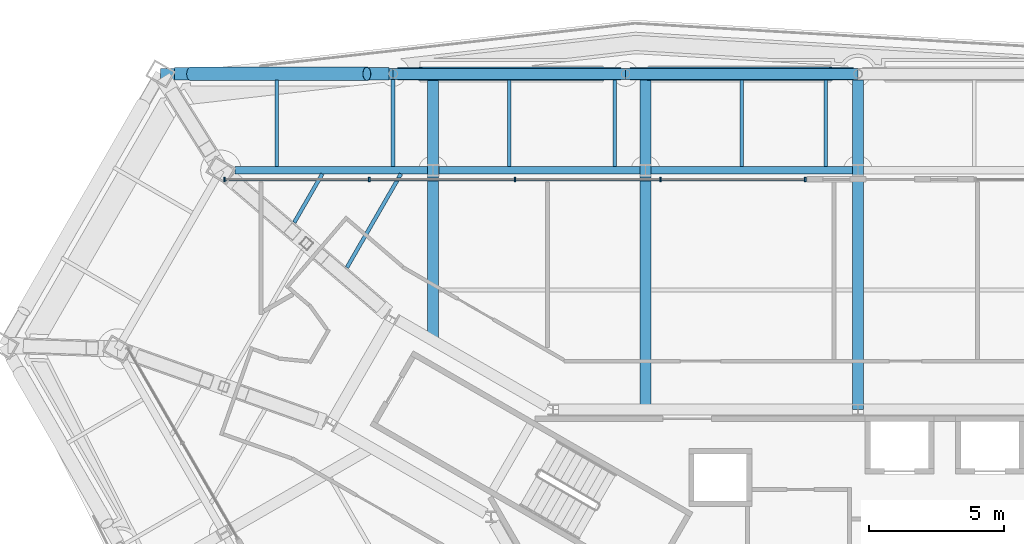
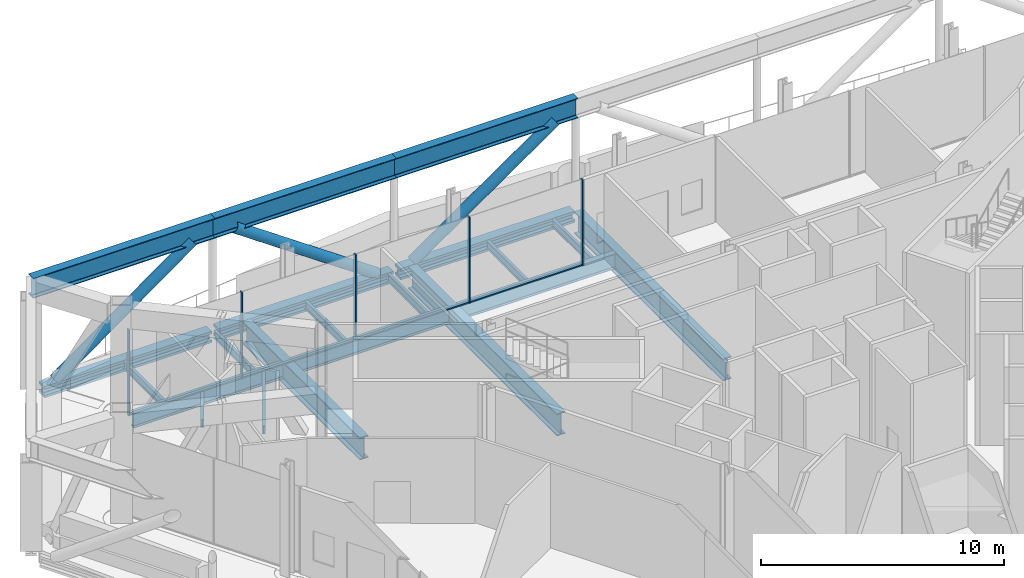
# One storey, part 12 of 26: 20 beams, 12 members, 1 element without a shape of its own.
"""IFC4 building model written with IfcOpenShell, lengths in metres."""

from ifc_helpers import new_model, si_unit, direction, frame, origin, origin_2d, place, context, subcontext, project, spatial, rectangle, hollow_circle, i_section, extrude, material, material_profile, profile_set, type_object, element, aggregate, save


model = new_model("IFC4")

# Units and contexts
model_context = context("Model", 3, precision=1e-05, world=origin(), true_north=direction((0.0, 1.0)))
body_context = subcontext(model_context, "Body", "Model", "MODEL_VIEW")
ifc_project = project(units=[si_unit("LENGTHUNIT", "METRE"), si_unit("AREAUNIT", "SQUARE_METRE"), si_unit("VOLUMEUNIT", "CUBIC_METRE"), si_unit("PLANEANGLEUNIT", "RADIAN"), si_unit("MASSUNIT", "GRAM", prefix="KILO")], contexts=[model_context])

# Site, building, storey
site_placement = place(None, origin())
site = spatial("IfcSite", under=ifc_project, at=site_placement, CompositionType="ELEMENT")
building_placement = place(site_placement, origin())
building = spatial("IfcBuilding", under=site, at=building_placement, Name="Verrane Prism Tower", CompositionType="ELEMENT")
storey_placement = place(building_placement, frame((0.0, 0.0, 87.199951171875)))
storey = spatial("IfcBuildingStorey", under=building, at=storey_placement, Name="L20", CompositionType="ELEMENT", Elevation=87.199951171875)

# Beams
ifc_material_1 = material(Name="Steel A992", Category="steel")
ifc_material_profile_1 = material_profile(ifc_material_1, i_section(OverallWidth=0.45458984375, OverallDepth=0.56884765625, WebThickness=0.077880859375, FlangeThickness=0.124755859375, FilletRadius=0.01513671875, at=origin_2d()), Name="W14x730")
ifc_profile_set_1 = profile_set([ifc_material_profile_1], Name="Steel A992")
beam_type_1 = type_object("IfcBeamType", Name="Belt truss chord W14x730", PredefinedType="BEAM", material=ifc_profile_set_1)
beam_1_placement = place(storey_placement, frame((-0.16259765625, 21.669921875, -0.445556640625), z_axis=(-1.0, 0.0, 0.0), x_axis=(0.0, -1.0, 0.0)))
element("IfcBeam", 1, at=beam_1_placement, inside=storey, type_object=beam_type_1, Name="Belt truss chord L20", PredefinedType="BEAM", context=body_context, shape_type="SweptSolid", body=[
    extrude(i_section(OverallWidth=0.45458984375, OverallDepth=0.56884765625, WebThickness=0.077880859375, FlangeThickness=0.124755859375, FilletRadius=0.01513671875, at=origin_2d()), origin(), (0.0, 0.0, 1.0), 8.3046875),
])
beam_2_placement = place(storey_placement, frame((-8.79248046875, 21.669921875, -0.445556640625), z_axis=(-1.0, 0.0, 0.0), x_axis=(0.0, -1.0, 0.0)))
element("IfcBeam", 2, at=beam_2_placement, inside=storey, type_object=beam_type_1, Name="Belt truss chord L20", PredefinedType="BEAM", context=body_context, shape_type="SweptSolid", body=[
    extrude(i_section(OverallWidth=0.45458984375, OverallDepth=0.56884765625, WebThickness=0.077880859375, FlangeThickness=0.124755859375, FilletRadius=0.01513671875, at=origin_2d()), origin(), (0.0, 0.0, 1.0), 8.304931640625),
])
beam_3_placement = place(storey_placement, frame((-17.422607421875, 21.669921875, -0.445556640625), z_axis=(-1.0, 0.0, 0.0), x_axis=(0.0, -1.0, 0.0)))
element("IfcBeam", 3, at=beam_3_placement, inside=storey, type_object=beam_type_1, Name="Belt truss chord L20", PredefinedType="BEAM", context=body_context, shape_type="SweptSolid", body=[
    extrude(i_section(OverallWidth=0.45458984375, OverallDepth=0.56884765625, WebThickness=0.077880859375, FlangeThickness=0.124755859375, FilletRadius=0.01513671875, at=origin_2d()), origin(), (0.0, 0.0, 1.0), 7.957763671875),
])
ifc_material_2 = material(Name="Steel A992", Category="steel")
ifc_material_profile_2 = material_profile(ifc_material_2, i_section(OverallWidth=0.4013671875, OverallDepth=1.000732421875, WebThickness=0.01904296875, FlangeThickness=0.0361328125, FilletRadius=0.030029296875, at=origin_2d()), Name="W40x249")
ifc_profile_set_2 = profile_set([ifc_material_profile_2], Name="Steel A992")
beam_type_2 = type_object("IfcBeamType", Name="Belt truss chord W40x249", PredefinedType="BEAM", material=ifc_profile_set_2)
beam_4_placement = place(storey_placement, frame((0.0, 21.669921875, 4.939697265625), z_axis=(-1.0, 0.0, 0.0), x_axis=(0.0, -1.0, 0.0)))
element("IfcBeam", 4, at=beam_4_placement, inside=storey, type_object=beam_type_2, Name="Belt truss chord L20", PredefinedType="BEAM", context=body_context, shape_type="SweptSolid", body=[
    extrude(i_section(OverallWidth=0.4013671875, OverallDepth=1.000732421875, WebThickness=0.01904296875, FlangeThickness=0.0361328125, FilletRadius=0.030029296875, at=origin_2d()), origin(), (0.0, 0.0, 1.0), 8.6298828125),
])
beam_5_placement = place(storey_placement, frame((-8.6298828125, 21.669921875, 4.939697265625), z_axis=(-1.0, 0.0, 0.0), x_axis=(0.0, -1.0, 0.0)))
element("IfcBeam", 5, at=beam_5_placement, inside=storey, type_object=beam_type_2, Name="Belt truss chord L20", PredefinedType="BEAM", context=body_context, shape_type="SweptSolid", body=[
    extrude(i_section(OverallWidth=0.4013671875, OverallDepth=1.000732421875, WebThickness=0.01904296875, FlangeThickness=0.0361328125, FilletRadius=0.030029296875, at=origin_2d()), origin(), (0.0, 0.0, 1.0), 8.630126953125),
])
beam_6_placement = place(storey_placement, frame((-17.260009765625, 21.669921875, 4.939697265625), z_axis=(-1.0, 0.0, 0.0), x_axis=(0.0, -1.0, 0.0)))
element("IfcBeam", 6, at=beam_6_placement, inside=storey, type_object=beam_type_2, Name="Belt truss chord L20", PredefinedType="BEAM", context=body_context, shape_type="SweptSolid", body=[
    extrude(i_section(OverallWidth=0.4013671875, OverallDepth=1.000732421875, WebThickness=0.01904296875, FlangeThickness=0.0361328125, FilletRadius=0.030029296875, at=origin_2d()), origin(), (0.0, 0.0, 1.0), 8.639892578125),
])

# Members
ifc_material_3 = material(Name="Steel A500 Grade C", Category="steel")
ifc_material_profile_3 = material_profile(ifc_material_3, hollow_circle(Radius=0.25390625, WallThickness=0.0126953125, at=origin_2d()), Name="HSS20.000x0.500")
ifc_profile_set_3 = profile_set([ifc_material_profile_3], Name="Steel A500 Grade C")
member_type_1 = type_object("IfcMemberType", Name="Belt truss diagonal HSS20.000x0.500", PredefinedType="BRACE", material=ifc_profile_set_3)
for number, where, z_axis, x_axis, name in (
    (7, (-7.78369140625, 21.669921875, -0.160888671875), (0.821461511401, 0.0, 0.570263961063), (0.0, 1.0, 0.0), "Belt truss diagonal L20"),
    (8, (-9.476318359375, 21.669921875, -0.160888671875), (-0.821461511401, 0.0, 0.570263961063), (0.0, -1.0, 0.0), "Belt truss diagonal L20"),
):
    element("IfcMember", number, at=place(storey_placement, frame(where, z_axis=z_axis, x_axis=x_axis)), inside=storey, type_object=member_type_1, Name=name, PredefinedType="BRACE", context=body_context, shape_type="SweptSolid", body=[
        extrude(hollow_circle(Radius=0.25390625, WallThickness=0.0126953125, at=origin_2d()), origin(), (0.0, 0.0, 1.0), 8.25927734375),
    ])
member_1_placement = place(storey_placement, frame((-24.781005859375, 21.669921875, -0.160888671875), z_axis=(0.811550425729, 0.0, 0.584282385922), x_axis=(0.0, 1.0, 0.0)))
element("IfcMember", 9, at=member_1_placement, inside=storey, type_object=member_type_1, Name="Belt truss diagonal L20", PredefinedType="BRACE", context=body_context, shape_type="SweptSolid", body=[
    extrude(hollow_circle(Radius=0.25390625, WallThickness=0.0126953125, at=origin_2d()), origin(), (0.0, 0.0, 1.0), 8.06103515625),
])

# Beams
ifc_material_4 = material(Name="Steel A992", Category="steel")
ifc_material_profile_4 = material_profile(ifc_material_4, i_section(OverallWidth=0.140380859375, OverallDepth=0.40380859375, WebThickness=0.007080078125, FlangeThickness=0.01123046875, FilletRadius=0.01025390625, at=origin_2d()), Name="W16x31")
ifc_profile_set_4 = profile_set([ifc_material_profile_4], Name="Steel A992")
beam_type_3 = type_object("IfcBeamType", Name="Floor beam W16x31", PredefinedType="BEAM", material=ifc_profile_set_4)
for number, where, z_axis, x_axis, name in (
    (10, (-1.199951171875, 18.223388671875, -0.36181640625), (0.0, 1.0, 0.0), (-1.0, 0.0, 0.0), "Floor beam L20"),
    (11, (-4.316650390625, 18.223388671875, -0.36181640625), (0.0, 1.0, 0.0), (-1.0, 0.0, 0.0), "Floor beam L20"),
    (12, (-9.033203125, 18.223388671875, -0.36181640625), (0.0, 1.0, 0.0), (-1.0, 0.0, 0.0), "Floor beam L20"),
    (13, (-12.949951171875, 18.223388671875, -0.36181640625), (0.0, 1.0, 0.0), (-1.0, 0.0, 0.0), "Floor beam L20"),
):
    element("IfcBeam", number, at=place(storey_placement, frame(where, z_axis=z_axis, x_axis=x_axis)), inside=storey, type_object=beam_type_3, Name=name, PredefinedType="BEAM", context=body_context, shape_type="SweptSolid", body=[
        extrude(i_section(OverallWidth=0.140380859375, OverallDepth=0.40380859375, WebThickness=0.007080078125, FlangeThickness=0.01123046875, FilletRadius=0.01025390625, at=origin_2d()), origin(), (0.0, 0.0, 1.0), 3.218994140625),
    ])
beam_7_placement = place(storey_placement, frame((-17.2666015625, 18.223388671875, -0.36181640625), z_axis=(0.0, 1.0, 0.0), x_axis=(-1.0, 0.0, 0.0)))
element("IfcBeam", 14, at=beam_7_placement, inside=storey, type_object=beam_type_3, Name="Floor beam L20", PredefinedType="BEAM", context=body_context, shape_type="SweptSolid", body=[
    extrude(i_section(OverallWidth=0.140380859375, OverallDepth=0.40380859375, WebThickness=0.007080078125, FlangeThickness=0.01123046875, FilletRadius=0.01025390625, at=origin_2d()), origin(), (0.0, 0.0, 1.0), 3.24609375),
])
beam_8_placement = place(storey_placement, frame((-21.583251953125, 18.223388671875, -0.36181640625), z_axis=(0.0, 1.0, 0.0), x_axis=(-1.0, 0.0, 0.0)))
element("IfcBeam", 15, at=beam_8_placement, inside=storey, type_object=beam_type_3, Name="Floor beam L20", PredefinedType="BEAM", context=body_context, shape_type="SweptSolid", body=[
    extrude(i_section(OverallWidth=0.140380859375, OverallDepth=0.40380859375, WebThickness=0.007080078125, FlangeThickness=0.01123046875, FilletRadius=0.01025390625, at=origin_2d()), origin(), (0.0, 0.0, 1.0), 3.218994140625),
])
beam_9_placement = place(storey_placement, frame((-18.98095703125, 14.475341796875, -0.36181640625), z_axis=(0.499980071345, 0.866036909293, 0.0), x_axis=(-0.866036909293, 0.499980071345, 0.0)))
element("IfcBeam", 16, at=beam_9_placement, inside=storey, type_object=beam_type_3, Name="Floor beam L20", PredefinedType="BEAM", context=body_context, shape_type="SweptSolid", body=[
    extrude(i_section(OverallWidth=0.140380859375, OverallDepth=0.40380859375, WebThickness=0.007080078125, FlangeThickness=0.01123046875, FilletRadius=0.01025390625, at=origin_2d()), origin(), (0.0, 0.0, 1.0), 4.019775390625),
])
beam_10_placement = place(storey_placement, frame((-20.93505859375, 16.150146484375, -0.36181640625), z_axis=(0.500016271356, 0.866016009309, 0.0), x_axis=(-0.866016009309, 0.500016271356, 0.0)))
element("IfcBeam", 17, at=beam_10_placement, inside=storey, type_object=beam_type_3, Name="Floor beam L20", PredefinedType="BEAM", context=body_context, shape_type="SweptSolid", body=[
    extrude(i_section(OverallWidth=0.140380859375, OverallDepth=0.40380859375, WebThickness=0.007080078125, FlangeThickness=0.01123046875, FilletRadius=0.01025390625, at=origin_2d()), origin(), (0.0, 0.0, 1.0), 2.0859375),
])

# Curtain wall, members
ifc_material_5 = material(Name="Aluminium framed insulated glazing", Category="aluminium")
curtain_wall_type = type_object("IfcCurtainWallType", Name="Curtain wall CW-B 5600 module", PredefinedType="NOTDEFINED", material=ifc_material_5)
curtain_wall_placement = place(storey_placement, origin())
curtain_wall = element("IfcCurtainWall", 18, at=curtain_wall_placement, inside=storey, type_object=curtain_wall_type, Name="Refuge lounge glazing north face L20 2", PredefinedType="NOTDEFINED")
ifc_material_6 = material(Name="Aluminium alloy 6063-T6", Category="aluminium")
ifc_material_profile_5 = material_profile(ifc_material_6, rectangle(XDim=0.159912109375, YDim=0.06005859375, at=origin_2d()), Name="Mullion 60x160 aluminium")
ifc_profile_set_5 = profile_set([ifc_material_profile_5], Name="Aluminium alloy 6063-T6")
member_type_2 = type_object("IfcMemberType", Name="Mullion 60x160 aluminium", PredefinedType="MULLION", material=ifc_profile_set_5)
member_2_placement = place(storey_placement, frame((-1.9599609375, 17.7509765625, 0.0), z_axis=(0.0, 0.0, 1.0), x_axis=(0.0, -1.0, 0.0)))
member_2 = element("IfcMember", 19, at=member_2_placement, type_object=member_type_2, Name="CW20.2.2 mullion 1", PredefinedType="MULLION", context=body_context, shape_type="SweptSolid", body=[
    extrude(rectangle(XDim=0.159912109375, YDim=0.06005859375, at=origin_2d()), origin(), (0.0, 0.0, 1.0), 4.322509765625),
])
member_3_placement = place(storey_placement, frame((-7.336181640625, 17.7509765625, 0.0), z_axis=(0.0, 0.0, 1.0), x_axis=(0.0, -1.0, 0.0)))
member_3 = element("IfcMember", 20, at=member_3_placement, type_object=member_type_2, Name="CW20.2.2 mullion 2", PredefinedType="MULLION", context=body_context, shape_type="SweptSolid", body=[
    extrude(rectangle(XDim=0.159912109375, YDim=0.06005859375, at=origin_2d()), origin(), (0.0, 0.0, 1.0), 4.322509765625),
])
member_4_placement = place(storey_placement, frame((-12.742431640625, 17.7509765625, 0.0), z_axis=(0.0, 0.0, 1.0), x_axis=(0.0, -1.0, 0.0)))
member_4 = element("IfcMember", 21, at=member_4_placement, type_object=member_type_2, Name="CW20.2.2 mullion 3", PredefinedType="MULLION", context=body_context, shape_type="SweptSolid", body=[
    extrude(rectangle(XDim=0.159912109375, YDim=0.06005859375, at=origin_2d()), origin(), (0.0, 0.0, 1.0), 4.322509765625),
])
member_5_placement = place(storey_placement, frame((-18.14892578125, 17.7509765625, 0.0), z_axis=(0.0, 0.0, 1.0), x_axis=(0.0, -1.0, 0.0)))
member_5 = element("IfcMember", 22, at=member_5_placement, type_object=member_type_2, Name="CW20.2.2 mullion 4", PredefinedType="MULLION", context=body_context, shape_type="SweptSolid", body=[
    extrude(rectangle(XDim=0.159912109375, YDim=0.06005859375, at=origin_2d()), origin(), (0.0, 0.0, 1.0), 4.322509765625),
])
member_6_placement = place(storey_placement, frame((-23.525146484375, 17.7509765625, 0.0), z_axis=(0.0, 0.0, 1.0), x_axis=(0.0, -1.0, 0.0)))
member_6 = element("IfcMember", 23, at=member_6_placement, type_object=member_type_2, Name="CW20.2.2 mullion 5", PredefinedType="MULLION", context=body_context, shape_type="SweptSolid", body=[
    extrude(rectangle(XDim=0.159912109375, YDim=0.06005859375, at=origin_2d()), origin(), (0.0, 0.0, 1.0), 4.322509765625),
])

# Beams
ifc_material_7 = material(Name="Steel A992", Category="steel")
ifc_material_profile_6 = material_profile(ifc_material_7, i_section(OverallWidth=0.2666015625, OverallDepth=0.7568359375, WebThickness=0.013916015625, FlangeThickness=0.019287109375, FilletRadius=0.0166015625, at=origin_2d()), Name="W30x108")
ifc_profile_set_6 = profile_set([ifc_material_profile_6], Name="Steel A992")
beam_type_4 = type_object("IfcBeamType", Name="Spandrel beam W30x108", PredefinedType="SPANDREL", material=ifc_profile_set_6)
for number, where, z_axis, x_axis, name in (
    (24, (-0.212158203125, 18.090087890625, -0.538330078125), (-1.0, 0.0, 0.0), (0.0, -1.0, 0.0), "Spandrel beam L20"),
    (25, (-8.10205078125, 18.090087890625, -0.538330078125), (-1.0, 0.0, 0.0), (0.0, -1.0, 0.0), "Spandrel beam L20"),
):
    element("IfcBeam", number, at=place(storey_placement, frame(where, z_axis=z_axis, x_axis=x_axis)), inside=storey, type_object=beam_type_4, Name=name, PredefinedType="SPANDREL", context=body_context, shape_type="SweptSolid", body=[
        extrude(i_section(OverallWidth=0.2666015625, OverallDepth=0.7568359375, WebThickness=0.013916015625, FlangeThickness=0.019287109375, FilletRadius=0.0166015625, at=origin_2d()), origin(), (0.0, 0.0, 1.0), 7.4658203125),
    ])
beam_11_placement = place(storey_placement, frame((-15.9921875, 18.090087890625, -0.538330078125), z_axis=(-1.0, 0.0, 0.0), x_axis=(0.0, -1.0, 0.0)))
element("IfcBeam", 26, at=beam_11_placement, inside=storey, type_object=beam_type_4, Name="Spandrel beam L20", PredefinedType="SPANDREL", context=body_context, shape_type="SweptSolid", body=[
    extrude(i_section(OverallWidth=0.2666015625, OverallDepth=0.7568359375, WebThickness=0.013916015625, FlangeThickness=0.019287109375, FilletRadius=0.0166015625, at=origin_2d()), origin(), (0.0, 0.0, 1.0), 7.148193359375),
])
ifc_material_8 = material(Name="Steel A992", Category="steel")
ifc_material_profile_7 = material_profile(ifc_material_8, i_section(OverallWidth=0.40380859375, OverallDepth=1.11767578125, WebThickness=0.026123046875, FlangeThickness=0.044921875, FilletRadius=0.02001953125, at=origin_2d()), Name="W44x335")
ifc_profile_set_7 = profile_set([ifc_material_profile_7], Name="Steel A992")
beam_type_5 = type_object("IfcBeamType", Name="Transfer girder W44x335", PredefinedType="BEAM", material=ifc_profile_set_7)
for number, where, z_axis, x_axis, name in (
    (27, (0.0, 21.442626953125, -0.71875), (0.0, -1.0, 0.0), (1.0, 0.0, 0.0), "Transfer girder L20"),
    (28, (-7.889892578125, 21.442626953125, -0.71875), (0.0, -1.0, 0.0), (1.0, 0.0, 0.0), "Transfer girder L20"),
):
    element("IfcBeam", number, at=place(storey_placement, frame(where, z_axis=z_axis, x_axis=x_axis)), inside=storey, type_object=beam_type_5, Name=name, PredefinedType="BEAM", context=body_context, shape_type="SweptSolid", body=[
        extrude(i_section(OverallWidth=0.40380859375, OverallDepth=1.11767578125, WebThickness=0.026123046875, FlangeThickness=0.044921875, FilletRadius=0.02001953125, at=origin_2d()), origin(), (0.0, 0.0, 1.0), 12.24267578125),
    ])
beam_12_placement = place(storey_placement, frame((-15.780029296875, 21.442626953125, -0.71875), z_axis=(0.0, -1.0, 0.0), x_axis=(1.0, 0.0, 0.0)))
element("IfcBeam", 29, at=beam_12_placement, inside=storey, type_object=beam_type_5, Name="Transfer girder L20", PredefinedType="BEAM", context=body_context, shape_type="SweptSolid", body=[
    extrude(i_section(OverallWidth=0.40380859375, OverallDepth=1.11767578125, WebThickness=0.026123046875, FlangeThickness=0.044921875, FilletRadius=0.02001953125, at=origin_2d()), origin(), (0.0, 0.0, 1.0), 9.678466796875),
])

# Member
ifc_material_9 = material(Name="Aluminium alloy 6063-T6", Category="aluminium")
ifc_material_profile_8 = material_profile(ifc_material_9, rectangle(XDim=0.1201171875, YDim=0.06005859375, at=origin_2d()), Name="Transom 60x120 aluminium")
ifc_profile_set_8 = profile_set([ifc_material_profile_8], Name="Aluminium alloy 6063-T6")
member_type_3 = type_object("IfcMemberType", Name="Transom 60x120 aluminium", PredefinedType="USERDEFINED", material=ifc_profile_set_8)
member_7_placement = place(storey_placement, frame((-1.989990234375, 17.7509765625, 0.030029296875), z_axis=(-1.0, 0.0, 0.0), x_axis=(0.0, -1.0, 0.0)))
member_7 = element("IfcMember", 30, at=member_7_placement, type_object=member_type_3, Name="CW20.2.2 transom 1", ObjectType="TRANSOM", PredefinedType="USERDEFINED", context=body_context, shape_type="SweptSolid", body=[
    extrude(rectangle(XDim=0.1201171875, YDim=0.06005859375, at=origin_2d()), origin(), (0.0, 0.0, 1.0), 5.31640625),
])

member_8_placement = place(storey_placement, frame((-7.3662109375, 17.7509765625, 0.030029296875), z_axis=(-1.0, 0.0, 0.0), x_axis=(0.0, -1.0, 0.0)))
member_8 = element("IfcMember", 31, at=member_8_placement, type_object=member_type_3, Name="CW20.2.2 transom 2", ObjectType="TRANSOM", PredefinedType="USERDEFINED", context=body_context, shape_type="SweptSolid", body=[
    extrude(rectangle(XDim=0.1201171875, YDim=0.06005859375, at=origin_2d()), origin(), (0.0, 0.0, 1.0), 5.346435546875),
])

member_9_placement = place(storey_placement, frame((-12.7724609375, 17.7509765625, 0.030029296875), z_axis=(-1.0, 0.0, 0.0), x_axis=(0.0, -1.0, 0.0)))
member_9 = element("IfcMember", 32, at=member_9_placement, type_object=member_type_3, Name="CW20.2.2 transom 3", ObjectType="TRANSOM", PredefinedType="USERDEFINED", context=body_context, shape_type="SweptSolid", body=[
    extrude(rectangle(XDim=0.1201171875, YDim=0.06005859375, at=origin_2d()), origin(), (0.0, 0.0, 1.0), 5.346435546875),
])

member_10_placement = place(storey_placement, frame((-18.1787109375, 17.7509765625, 0.030029296875), z_axis=(-1.0, 0.0, 0.0), x_axis=(0.0, -1.0, 0.0)))
member_10 = element("IfcMember", 33, at=member_10_placement, type_object=member_type_3, Name="CW20.2.2 transom 4", ObjectType="TRANSOM", PredefinedType="USERDEFINED", context=body_context, shape_type="SweptSolid", body=[
    extrude(rectangle(XDim=0.1201171875, YDim=0.06005859375, at=origin_2d()), origin(), (0.0, 0.0, 1.0), 5.31640625),
])

aggregate(curtain_wall, [member_2, member_3, member_4, member_5, member_6, member_7, member_8, member_9, member_10])

save(model, "model.ifc")
